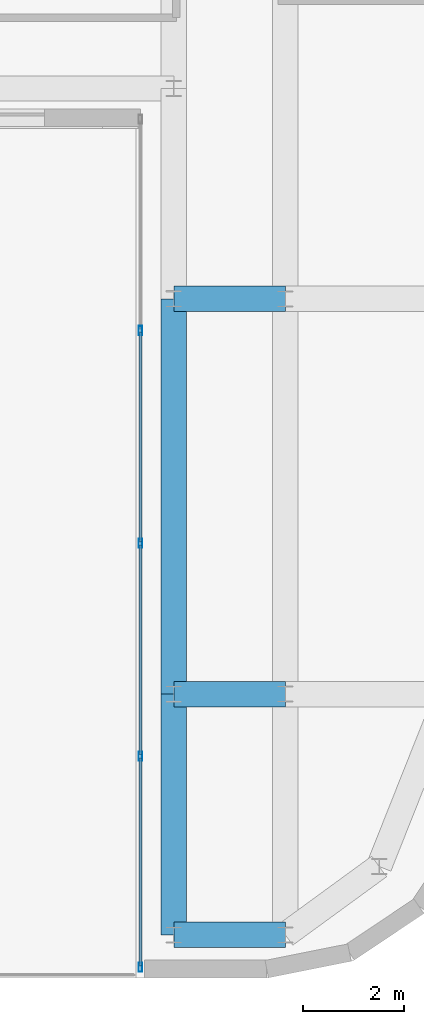
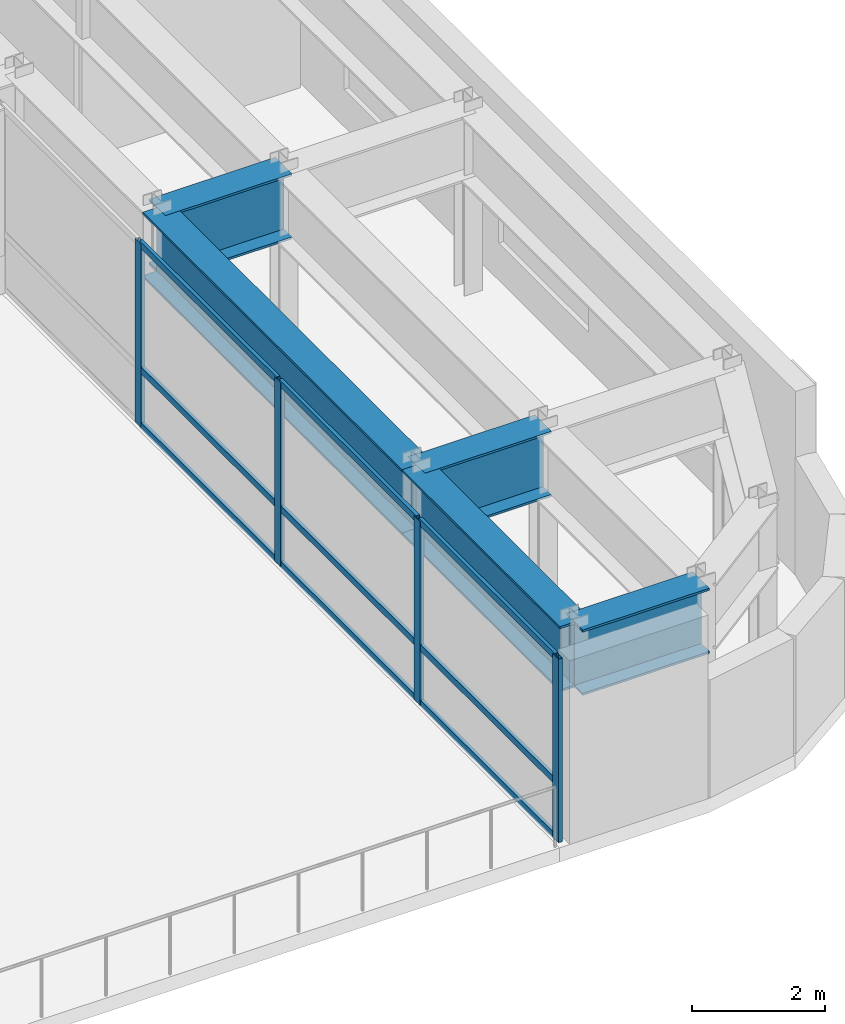
# One storey, part 4 of 16: 13 members, 5 beams, 1 element without a shape of its own.
"""IFC4 building model written with IfcOpenShell, lengths in metres."""

from ifc_helpers import new_model, si_unit, direction, frame, origin, origin_2d, place, context, subcontext, project, spatial, hollow_rectangle, i_section, extrude, source, transform, mapped, material, layer, layer_set, material_profile, profile_set, type_object, type_shapes, element, aggregate, save


model = new_model("IFC4")

# Units and contexts
model_context = context("Model", 3, precision=1e-05, world=origin(), true_north=direction((0.0, 1.0)))
body_context = subcontext(model_context, "Body", "Model", "MODEL_VIEW")
ifc_project = project(units=[si_unit("LENGTHUNIT", "METRE"), si_unit("AREAUNIT", "SQUARE_METRE"), si_unit("VOLUMEUNIT", "CUBIC_METRE"), si_unit("PLANEANGLEUNIT", "RADIAN"), si_unit("MASSUNIT", "GRAM", prefix="KILO")], contexts=[model_context])

# Site, building, storey
site_placement = place(None, origin())
site = spatial("IfcSite", under=ifc_project, at=site_placement, CompositionType="ELEMENT")
building_placement = place(site_placement, origin())
building = spatial("IfcBuilding", under=site, at=building_placement, Name="Tolvann Quenvar Hotel", CompositionType="ELEMENT")
storey_placement = place(building_placement, frame((0.0, 0.0, 241.64990234375)))
storey = spatial("IfcBuildingStorey", under=building, at=storey_placement, Name="L64", CompositionType="ELEMENT", Elevation=241.64990234375)

# Beams
ifc_material_1 = material(Name="Steel Grade 350", Category="steel")
ifc_material_profile_1 = material_profile(ifc_material_1, i_section(OverallWidth=0.5, OverallDepth=1.199951171875, WebThickness=0.01611328125, FlangeThickness=0.0400390625, at=origin_2d()), Name="1200WB455")
ifc_profile_set_1 = profile_set([ifc_material_profile_1], Name="Steel Grade 350")
beam_type = type_object("IfcBeamType", Name="BM_TG_1200WB455", PredefinedType="USERDEFINED", material=ifc_profile_set_1)
shared_shape_1 = source(origin(), body_context, "Body", "SweptSolid", [
    extrude(i_section(OverallWidth=0.5, OverallDepth=1.199951171875, WebThickness=0.01611328125, FlangeThickness=0.0400390625, at=origin_2d()), origin(), (0.0, 0.0, 1.0), 2.199951171875),
])
for number, where, z_axis, x_axis, name in (
    (1, (32.75, 3.449951171875, 2.77001953125), (1.0, 0.0, 0.0), (0.0, 1.0, 0.0), "BM-L64-EW-2-FP2-F2"),
    (2, (32.75, 8.199951171875, 2.77001953125), (1.0, 0.0, 0.0), (0.0, 1.0, 0.0), "BM-L64-EW-3-FP3-F3"),
    (3, (32.75, 16.0, 2.77001953125), (1.0, 0.0, 0.0), (0.0, 1.0, 0.0), "BM-L64-EW-4-FP4-F4"),
):
    element("IfcBeam", number, at=place(storey_placement, frame(where, z_axis=z_axis, x_axis=x_axis)), inside=storey, type_object=beam_type, Name=name, ObjectType="TRANSFER GIRDER", PredefinedType="USERDEFINED", context=body_context, shape_type="MappedRepresentation", body=[
        mapped(shared_shape_1, transform((0.0, 0.0, 0.0), x_axis=(1.0, 0.0, 0.0), y_axis=(0.0, 1.0, 0.0), z_axis=(0.0, 0.0, 1.0), scale=1.0)),
    ])
shared_shape_2 = source(origin(), body_context, "Body", "SweptSolid", [
    extrude(i_section(OverallWidth=0.5, OverallDepth=1.199951171875, WebThickness=0.01611328125, FlangeThickness=0.0400390625, at=origin_2d()), origin(), (0.0, 0.0, 1.0), 7.800048828125),
])
beam_1_placement = place(storey_placement, frame((32.75, 8.199951171875, 2.77001953125), z_axis=(0.0, 1.0, 0.0), x_axis=(-1.0, 0.0, 0.0)))
element("IfcBeam", 4, at=beam_1_placement, inside=storey, type_object=beam_type, Name="BM-L64-NS-FP3-FP4", ObjectType="TRANSFER GIRDER", PredefinedType="USERDEFINED", context=body_context, shape_type="MappedRepresentation", body=[
    mapped(shared_shape_2, transform((0.0, 0.0, 0.0), x_axis=(1.0, 0.0, 0.0), y_axis=(0.0, 1.0, 0.0), z_axis=(0.0, 0.0, 1.0), scale=1.0)),
])
shared_shape_3 = source(origin(), body_context, "Body", "SweptSolid", [
    extrude(i_section(OverallWidth=0.5, OverallDepth=1.199951171875, WebThickness=0.01611328125, FlangeThickness=0.0400390625, at=origin_2d()), origin(), (0.0, 0.0, 1.0), 4.75),
])
type_shapes(beam_type, [shared_shape_1, shared_shape_2, shared_shape_3])
beam_2_placement = place(storey_placement, frame((32.75, 3.449951171875, 2.77001953125), z_axis=(0.0, 1.0, 0.0), x_axis=(-1.0, 0.0, 0.0)))
element("IfcBeam", 5, at=beam_2_placement, inside=storey, type_object=beam_type, Name="BM-L64-NS-FP2-FP3", ObjectType="TRANSFER GIRDER", PredefinedType="USERDEFINED", context=body_context, shape_type="MappedRepresentation", body=[
    mapped(shared_shape_3, transform((0.0, 0.0, 0.0), x_axis=(1.0, 0.0, 0.0), y_axis=(0.0, 1.0, 0.0), z_axis=(0.0, 0.0, 1.0), scale=1.0)),
])

# Curtain wall, members
ifc_material_2 = material(Name="Thermally broken anodised architectural aluminium 6063-T6 and laminated low-E glass", Category="aluminium")
ifc_layer = layer(ifc_material_2, 0.179931640625)
ifc_layer_set = layer_set([ifc_layer], Name="Thermally broken anodised architectural aluminium 6063-T6 and laminated low-E glass")
curtain_wall_type = type_object("IfcCurtainWallType", Name="CW_SYS_PORTAL_05", PredefinedType="USERDEFINED", material=ifc_layer_set)
curtain_wall_placement = place(storey_placement, origin())
curtain_wall = element("IfcCurtainWall", 6, at=curtain_wall_placement, inside=storey, type_object=curtain_wall_type, Name="Curtain Wall CW-PORTAL-05 (CWR-L64-E07)", ObjectType="UNITISED CURTAIN WALL", PredefinedType="USERDEFINED")
ifc_material_3 = material(Name="Anodised architectural aluminium 6063-T6 framing", Category="aluminium")
ifc_material_profile_2 = material_profile(ifc_material_3, hollow_rectangle(XDim=0.070068359375, YDim=0.179931640625, WallThickness=0.00390625, at=origin_2d()), Name="180x70x4RHS")
ifc_profile_set_2 = profile_set([ifc_material_profile_2], Name="Anodised architectural aluminium 6063-T6 framing")
member_type_1 = type_object("IfcMemberType", Name="CW_MULL_180x70", PredefinedType="MULLION", material=ifc_profile_set_2)
shared_shape_4 = source(origin(), body_context, "Body", "SweptSolid", [
    extrude(hollow_rectangle(XDim=0.070068359375, YDim=0.179931640625, WallThickness=0.00390625, at=origin_2d()), origin(), (0.0, 0.0, 1.0), 3.3701171875),
])
type_shapes(member_type_1, [shared_shape_4])
member_1_placement = place(storey_placement, frame((32.090087890625, 15.375, 0.0), z_axis=(0.0, 0.0, 1.0), x_axis=(1.0, 0.0, 0.0)))
member_1 = element("IfcMember", 7, at=member_1_placement, type_object=member_type_1, Name="CW-PORTAL-05 mullion 2", PredefinedType="MULLION", context=body_context, shape_type="MappedRepresentation", body=[
    mapped(shared_shape_4, transform((0.0, 0.0, 0.0), x_axis=(1.0, 0.0, 0.0), y_axis=(0.0, 1.0, 0.0), z_axis=(0.0, 0.0, 1.0), scale=1.0)),
])
member_2_placement = place(storey_placement, frame((32.090087890625, 11.175048828125, 0.0), z_axis=(0.0, 0.0, 1.0), x_axis=(1.0, 0.0, 0.0)))
member_2 = element("IfcMember", 8, at=member_2_placement, type_object=member_type_1, Name="CW-PORTAL-05 mullion 3", PredefinedType="MULLION", context=body_context, shape_type="MappedRepresentation", body=[
    mapped(shared_shape_4, transform((0.0, 0.0, 0.0), x_axis=(1.0, 0.0, 0.0), y_axis=(0.0, 1.0, 0.0), z_axis=(0.0, 0.0, 1.0), scale=1.0)),
])
member_3_placement = place(storey_placement, frame((32.090087890625, 6.97509765625, 0.0), z_axis=(0.0, 0.0, 1.0), x_axis=(1.0, 0.0, 0.0)))
member_3 = element("IfcMember", 9, at=member_3_placement, type_object=member_type_1, Name="CW-PORTAL-05 mullion 4", PredefinedType="MULLION", context=body_context, shape_type="MappedRepresentation", body=[
    mapped(shared_shape_4, transform((0.0, 0.0, 0.0), x_axis=(1.0, 0.0, 0.0), y_axis=(0.0, 1.0, 0.0), z_axis=(0.0, 0.0, 1.0), scale=1.0)),
])
member_4_placement = place(storey_placement, frame((32.090087890625, 2.81005859375, 0.0), z_axis=(0.0, 0.0, 1.0), x_axis=(1.0, 0.0, 0.0)))
member_4 = element("IfcMember", 10, at=member_4_placement, type_object=member_type_1, Name="CW-PORTAL-05 mullion 5", PredefinedType="MULLION", context=body_context, shape_type="MappedRepresentation", body=[
    mapped(shared_shape_4, transform((0.0, 0.0, 0.0), x_axis=(1.0, 0.0, 0.0), y_axis=(0.0, 1.0, 0.0), z_axis=(0.0, 0.0, 1.0), scale=1.0)),
])
ifc_material_profile_3 = material_profile(ifc_material_3, hollow_rectangle(XDim=0.06005859375, YDim=0.1201171875, WallThickness=0.00341796875, at=origin_2d()), Name="120x60x3.5RHS")
ifc_profile_set_3 = profile_set([ifc_material_profile_3], Name="Anodised architectural aluminium 6063-T6 framing")
member_type_2 = type_object("IfcMemberType", Name="CW_TRAN_120x60", PredefinedType="USERDEFINED", material=ifc_profile_set_3)
shared_shape_5 = source(origin(), body_context, "Body", "SweptSolid", [
    extrude(hollow_rectangle(XDim=0.06005859375, YDim=0.1201171875, WallThickness=0.00341796875, at=origin_2d()), origin(), (0.0, 0.0, 1.0), 4.094970703125),
])
member_5_placement = place(storey_placement, frame((32.090087890625, 6.93994140625, 0.030029296875), z_axis=(0.0, -1.0, 0.0), x_axis=(1.0, 0.0, 0.0)))
member_5 = element("IfcMember", 11, at=member_5_placement, type_object=member_type_2, Name="CW-PORTAL-05 transom 4.1", ObjectType="TRANSOM", PredefinedType="USERDEFINED", context=body_context, shape_type="MappedRepresentation", body=[
    mapped(shared_shape_5, transform((0.0, 0.0, 0.0), x_axis=(1.0, 0.0, 0.0), y_axis=(0.0, 1.0, 0.0), z_axis=(0.0, 0.0, 1.0), scale=1.0)),
])
member_6_placement = place(storey_placement, frame((32.090087890625, 6.93994140625, 1.050048828125), z_axis=(0.0, -1.0, 0.0), x_axis=(1.0, 0.0, 0.0)))
member_6 = element("IfcMember", 12, at=member_6_placement, type_object=member_type_2, Name="CW-PORTAL-05 transom 4.2", ObjectType="TRANSOM", PredefinedType="USERDEFINED", context=body_context, shape_type="MappedRepresentation", body=[
    mapped(shared_shape_5, transform((0.0, 0.0, 0.0), x_axis=(1.0, 0.0, 0.0), y_axis=(0.0, 1.0, 0.0), z_axis=(0.0, 0.0, 1.0), scale=1.0)),
])
member_7_placement = place(storey_placement, frame((32.090087890625, 6.93994140625, 3.340087890625), z_axis=(0.0, -1.0, 0.0), x_axis=(1.0, 0.0, 0.0)))
member_7 = element("IfcMember", 13, at=member_7_placement, type_object=member_type_2, Name="CW-PORTAL-05 transom 4.3", ObjectType="TRANSOM", PredefinedType="USERDEFINED", context=body_context, shape_type="MappedRepresentation", body=[
    mapped(shared_shape_5, transform((0.0, 0.0, 0.0), x_axis=(1.0, 0.0, 0.0), y_axis=(0.0, 1.0, 0.0), z_axis=(0.0, 0.0, 1.0), scale=1.0)),
])
shared_shape_6 = source(origin(), body_context, "Body", "SweptSolid", [
    extrude(hollow_rectangle(XDim=0.06005859375, YDim=0.1201171875, WallThickness=0.00341796875, at=origin_2d()), origin(), (0.0, 0.0, 1.0), 4.130126953125),
])
member_8_placement = place(storey_placement, frame((32.090087890625, 15.340087890625, 0.030029296875), z_axis=(0.0, -1.0, 0.0), x_axis=(1.0, 0.0, 0.0)))
member_8 = element("IfcMember", 14, at=member_8_placement, type_object=member_type_2, Name="CW-PORTAL-05 transom 2.1", ObjectType="TRANSOM", PredefinedType="USERDEFINED", context=body_context, shape_type="MappedRepresentation", body=[
    mapped(shared_shape_6, transform((0.0, 0.0, 0.0), x_axis=(1.0, 0.0, 0.0), y_axis=(0.0, 1.0, 0.0), z_axis=(0.0, 0.0, 1.0), scale=1.0)),
])
member_9_placement = place(storey_placement, frame((32.090087890625, 15.340087890625, 1.050048828125), z_axis=(0.0, -1.0, 0.0), x_axis=(1.0, 0.0, 0.0)))
member_9 = element("IfcMember", 15, at=member_9_placement, type_object=member_type_2, Name="CW-PORTAL-05 transom 2.2", ObjectType="TRANSOM", PredefinedType="USERDEFINED", context=body_context, shape_type="MappedRepresentation", body=[
    mapped(shared_shape_6, transform((0.0, 0.0, 0.0), x_axis=(1.0, 0.0, 0.0), y_axis=(0.0, 1.0, 0.0), z_axis=(0.0, 0.0, 1.0), scale=1.0)),
])
member_10_placement = place(storey_placement, frame((32.090087890625, 15.340087890625, 3.340087890625), z_axis=(0.0, -1.0, 0.0), x_axis=(1.0, 0.0, 0.0)))
member_10 = element("IfcMember", 16, at=member_10_placement, type_object=member_type_2, Name="CW-PORTAL-05 transom 2.3", ObjectType="TRANSOM", PredefinedType="USERDEFINED", context=body_context, shape_type="MappedRepresentation", body=[
    mapped(shared_shape_6, transform((0.0, 0.0, 0.0), x_axis=(1.0, 0.0, 0.0), y_axis=(0.0, 1.0, 0.0), z_axis=(0.0, 0.0, 1.0), scale=1.0)),
])
shared_shape_7 = source(origin(), body_context, "Body", "SweptSolid", [
    extrude(hollow_rectangle(XDim=0.06005859375, YDim=0.1201171875, WallThickness=0.00341796875, at=origin_2d()), origin(), (0.0, 0.0, 1.0), 4.1298828125),
])
type_shapes(member_type_2, [shared_shape_5, shared_shape_6, shared_shape_7])
member_11_placement = place(storey_placement, frame((32.090087890625, 11.139892578125, 0.030029296875), z_axis=(0.0, -1.0, 0.0), x_axis=(1.0, 0.0, 0.0)))
member_11 = element("IfcMember", 17, at=member_11_placement, type_object=member_type_2, Name="CW-PORTAL-05 transom 3.1", ObjectType="TRANSOM", PredefinedType="USERDEFINED", context=body_context, shape_type="MappedRepresentation", body=[
    mapped(shared_shape_7, transform((0.0, 0.0, 0.0), x_axis=(1.0, 0.0, 0.0), y_axis=(0.0, 1.0, 0.0), z_axis=(0.0, 0.0, 1.0), scale=1.0)),
])
member_12_placement = place(storey_placement, frame((32.090087890625, 11.139892578125, 1.050048828125), z_axis=(0.0, -1.0, 0.0), x_axis=(1.0, 0.0, 0.0)))
member_12 = element("IfcMember", 18, at=member_12_placement, type_object=member_type_2, Name="CW-PORTAL-05 transom 3.2", ObjectType="TRANSOM", PredefinedType="USERDEFINED", context=body_context, shape_type="MappedRepresentation", body=[
    mapped(shared_shape_7, transform((0.0, 0.0, 0.0), x_axis=(1.0, 0.0, 0.0), y_axis=(0.0, 1.0, 0.0), z_axis=(0.0, 0.0, 1.0), scale=1.0)),
])
member_13_placement = place(storey_placement, frame((32.090087890625, 11.139892578125, 3.340087890625), z_axis=(0.0, -1.0, 0.0), x_axis=(1.0, 0.0, 0.0)))
member_13 = element("IfcMember", 19, at=member_13_placement, type_object=member_type_2, Name="CW-PORTAL-05 transom 3.3", ObjectType="TRANSOM", PredefinedType="USERDEFINED", context=body_context, shape_type="MappedRepresentation", body=[
    mapped(shared_shape_7, transform((0.0, 0.0, 0.0), x_axis=(1.0, 0.0, 0.0), y_axis=(0.0, 1.0, 0.0), z_axis=(0.0, 0.0, 1.0), scale=1.0)),
])
aggregate(curtain_wall, [member_1, member_2, member_3, member_4, member_8, member_9, member_10, member_11, member_12, member_13, member_5, member_6, member_7])

save(model, "model.ifc")
